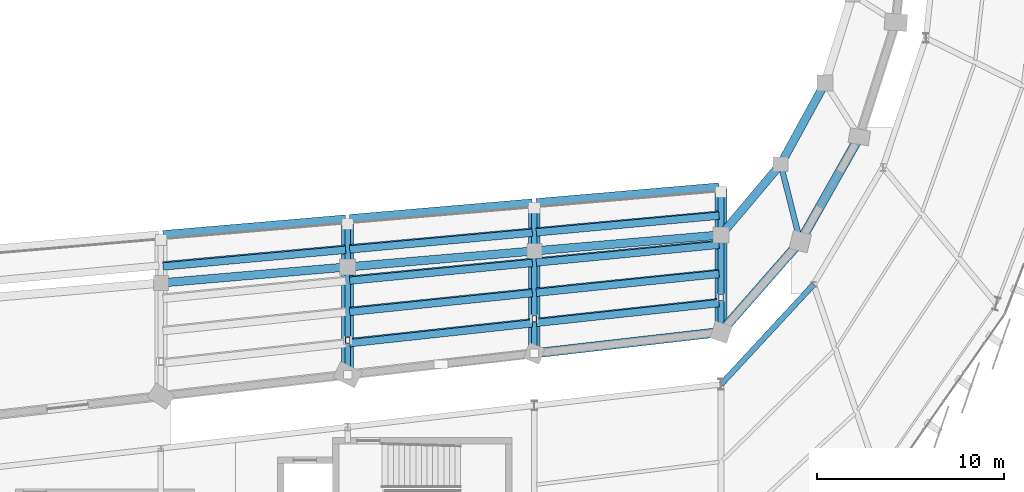
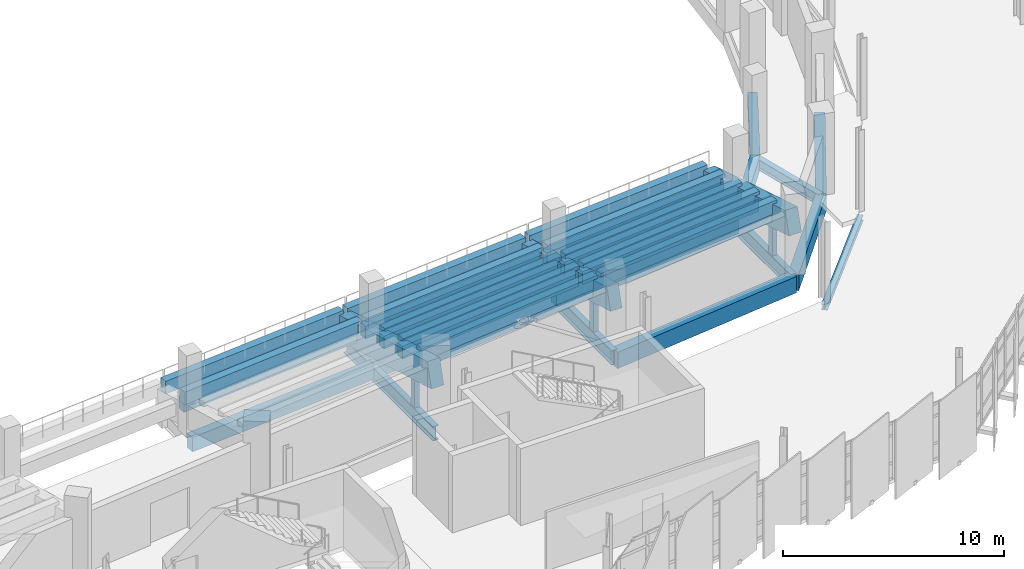
# One storey, part 60 of 120: 37 beams, 3 members.
"""IFC4 building model written with IfcOpenShell, lengths in metres."""

import ifcopenshell
import ifcopenshell.guid

model = None  # the IFC model being written
_history = None  # IfcOwnerHistory: only IFC2X3 demands one
_inside = {}  # id of a spatial element -> (the spatial element, [elements in it])
_under = {}  # id of a project, library or spatial element -> (it, [spatial elements below it])
_declared = {}  # id of a project -> (the project, [libraries it declares])
_typed = {}  # id of a type object -> (the type object, [elements of that type])
_made_of = {}  # id of a material, layer set ... -> (it, [elements and type objects made of it])


def new_model(schema):
    """Start an empty IFC model of exactly this schema.

    Asked for "IFC4X3", IfcOpenShell would pick the latest addendum, in which some entities
    have other attributes; the version numbers below select the first issue.
    IFC2X3 requires an IfcOwnerHistory on every rooted entity: one is made here for all.
    """
    global model, _history
    if schema == "IFC4X3":
        model = ifcopenshell.file(schema_version=(4, 3, 0, 0))
    else:
        model = ifcopenshell.file(schema=schema)
    _inside.clear()
    _under.clear()
    _declared.clear()
    _typed.clear()
    _made_of.clear()
    _history = None
    if model.schema == "IFC2X3":
        org = make("IfcOrganization", Name="unknown")
        user = make(
            "IfcPersonAndOrganization",
            ThePerson=make("IfcPerson", FamilyName="unknown"),
            TheOrganization=org,
        )
        app = make(
            "IfcApplication",
            ApplicationDeveloper=org,
            Version="unknown",
            ApplicationFullName="unknown",
            ApplicationIdentifier="unknown",
        )
        _history = make(
            "IfcOwnerHistory",
            OwningUser=user,
            OwningApplication=app,
            ChangeAction="ADDED",
            CreationDate=0,
        )
    return model


def make(cls, **values):
    """One entity of the class cls with the attributes given. An attribute that is None is left unset."""
    return model.create_entity(
        cls, **{name: value for name, value in values.items() if value is not None}
    )


def rooted(cls, **values):
    """An entity with a GlobalId (a new one), such as an element, a storey or a relation."""
    return make(cls, GlobalId=ifcopenshell.guid.new(), OwnerHistory=_history, **values)


def si_unit(unit_type, name, prefix=None):
    """IfcSIUnit, for example si_unit("LENGTHUNIT", "METRE", prefix="MILLI")."""
    return make("IfcSIUnit", UnitType=unit_type, Prefix=prefix, Name=name)


def assignment(units):
    """IfcUnitAssignment: the units of a project."""
    return None if units is None else make("IfcUnitAssignment", Units=units)


def point(xyz):
    """IfcCartesianPoint."""
    return None if xyz is None else make("IfcCartesianPoint", Coordinates=xyz)


def direction(xyz):
    """IfcDirection."""
    return None if xyz is None else make("IfcDirection", DirectionRatios=xyz)


def frame(location, z_axis=None, x_axis=None):
    """IfcAxis2Placement3D, a coordinate frame: its origin and axes. An axis left out is left unset."""
    return make(
        "IfcAxis2Placement3D",
        Location=point(location),
        Axis=direction(z_axis),
        RefDirection=direction(x_axis),
    )


def frame_2d(location, x_axis=None):
    """IfcAxis2Placement2D, a coordinate frame in the plane: its origin and x axis."""
    return make(
        "IfcAxis2Placement2D", Location=point(location), RefDirection=direction(x_axis)
    )


def origin():
    """The frame at (0, 0, 0) with its axes left unset."""
    return frame((0.0, 0.0, 0.0))


def origin_2d():
    """The frame at (0, 0) in the plane with its x axis left unset."""
    return frame_2d((0.0, 0.0))


def place(relative_to, where):
    """IfcLocalPlacement: puts the frame where relative to a parent placement (None: the world)."""
    return make(
        "IfcLocalPlacement", PlacementRelTo=relative_to, RelativePlacement=where
    )


def context(
    kind, dimensions, precision=None, world=None, true_north=None, identifier=None
):
    """IfcGeometricRepresentationContext, for example the 3D "Model" context."""
    return make(
        "IfcGeometricRepresentationContext",
        ContextIdentifier=identifier,
        ContextType=kind,
        CoordinateSpaceDimension=dimensions,
        Precision=precision,
        WorldCoordinateSystem=world,
        TrueNorth=true_north,
    )


def subcontext(parent, identifier, kind, view, scale=None):
    """IfcGeometricRepresentationSubContext, for example "Body" below "Model"."""
    return make(
        "IfcGeometricRepresentationSubContext",
        ContextIdentifier=identifier,
        ContextType=kind,
        ParentContext=parent,
        TargetScale=scale,
        TargetView=view,
    )


def project(units=None, contexts=None):
    """IfcProject with its units and contexts."""
    return rooted(
        "IfcProject",
        Name="project",
        RepresentationContexts=contexts,
        UnitsInContext=assignment(units),
    )


def spatial(cls, under=None, at=None, **own):
    """A site, building, storey or space (cls), placed at a placement, below another one or the project."""
    s = rooted(cls, ObjectPlacement=at, **own)
    if under is not None:
        _under.setdefault(under.id(), (under, []))[1].append(s)
    return s


def profile(cls, at=None, kind="AREA", **sizes):
    """A parametric profile (cls). Its sizes go by their IFC names, for example OverallWidth=200.0."""
    return make(cls, ProfileType=kind, Position=at, **sizes)


def rectangle(**sizes):
    """IfcRectangleProfileDef."""
    return profile("IfcRectangleProfileDef", **sizes)


def hollow_rectangle(**sizes):
    """IfcRectangleHollowProfileDef."""
    return profile("IfcRectangleHollowProfileDef", **sizes)


def i_section(**sizes):
    """IfcIShapeProfileDef."""
    return profile("IfcIShapeProfileDef", **sizes)


def extrude(swept, where, along, depth):
    """IfcExtrudedAreaSolid: the profile swept, set in the frame where, extruded along a direction by depth."""
    return make(
        "IfcExtrudedAreaSolid",
        SweptArea=swept,
        Position=where,
        ExtrudedDirection=direction(along),
        Depth=depth,
    )


def shape(context_of_items, identifier, shape_type, items):
    """IfcShapeRepresentation: the items that make up one representation, for example the "Body"."""
    return make(
        "IfcShapeRepresentation",
        ContextOfItems=context_of_items,
        RepresentationIdentifier=identifier,
        RepresentationType=shape_type,
        Items=items,
    )


def material(Name=None, Category=None):
    """IfcMaterial."""
    return make("IfcMaterial", Name=Name, Category=Category)


def material_profile(
    of_material, cross_section, Name=None, Category=None, Priority=None
):
    """IfcMaterialProfile: a cross section and its material."""
    return make(
        "IfcMaterialProfile",
        Name=Name,
        Material=of_material,
        Profile=cross_section,
        Priority=Priority,
        Category=Category,
    )


def profile_set(profiles, Name=None, composite=None):
    """IfcMaterialProfileSet."""
    return make(
        "IfcMaterialProfileSet",
        Name=Name,
        MaterialProfiles=profiles,
        CompositeProfile=composite,
    )


def made_of(thing, what):
    """Note that an element or type object is made of a material, layer set ...; save() writes the relation."""
    if what is not None:
        _made_of.setdefault(what.id(), (what, []))[1].append(thing)
    return thing


def type_object(cls, material=None, **own):
    """A type object (cls), such as IfcWallType, which elements share."""
    return made_of(rooted(cls, **own), material)


def element(
    cls,
    number,
    at=None,
    inside=None,
    cuts=None,
    type_object=None,
    material=None,
    context=None,
    identifier="Body",
    shape_type=None,
    held_by="IfcProductDefinitionShape",
    body=None,
    shapes=None,
    **own,
):
    """One element of the class cls, such as IfcWall. Its Tag is "e" and its number.

    at: its placement. inside: the storey or other place that contains it. cuts: it is an
    opening in that element (IfcRelVoidsElement). A single representation is given by context,
    identifier, shape_type and body (its items); several are given by shapes. held_by: the class
    of the entity that holds the representations. save() writes the other relations.
    """
    e = rooted(cls, Tag="e%d" % number, ObjectPlacement=at, **own)
    if body is not None:
        shapes = [shape(context, identifier, shape_type, body)]
    if shapes is not None:
        e.Representation = make(held_by, Representations=shapes)
    if inside is not None:
        _inside.setdefault(inside.id(), (inside, []))[1].append(e)
    if cuts is not None:
        rooted(
            "IfcRelVoidsElement", RelatingBuildingElement=cuts, RelatedOpeningElement=e
        )
    if type_object is not None:
        _typed.setdefault(type_object.id(), (type_object, []))[1].append(e)
    return made_of(e, material)


def aggregate(whole, parts):
    """IfcRelAggregates: a whole, such as a stair, and the parts it consists of."""
    return rooted("IfcRelAggregates", RelatingObject=whole, RelatedObjects=parts)


def save(model, path):
    """Write the relations noted so far, then the file.

    IfcRelAggregates (storeys below a building ...), IfcRelContainedInSpatialStructure (elements
    in a storey), IfcRelDefinesByType, IfcRelAssociatesMaterial and IfcRelDeclares: one each for
    every whole, place, type object, material and project.
    """
    for whole, parts in _under.values():
        aggregate(whole, parts)
    for where, things in _inside.values():
        rooted(
            "IfcRelContainedInSpatialStructure",
            RelatedElements=things,
            RelatingStructure=where,
        )
    for kind, things in _typed.values():
        rooted("IfcRelDefinesByType", RelatedObjects=things, RelatingType=kind)
    for what, things in _made_of.values():
        rooted("IfcRelAssociatesMaterial", RelatedObjects=things, RelatingMaterial=what)
    for by, libraries in _declared.values():
        rooted("IfcRelDeclares", RelatingContext=by, RelatedDefinitions=libraries)
    model.write(path)


model = new_model("IFC4")

# Units and contexts
model_context = context("Model", 3, precision=1e-05, world=origin(), true_north=direction((0.0, 1.0)))
body_context = subcontext(model_context, "Body", "Model", "MODEL_VIEW")
ifc_project = project(units=[si_unit("LENGTHUNIT", "METRE"), si_unit("AREAUNIT", "SQUARE_METRE"), si_unit("VOLUMEUNIT", "CUBIC_METRE"), si_unit("PLANEANGLEUNIT", "RADIAN"), si_unit("MASSUNIT", "GRAM", prefix="KILO")], contexts=[model_context])

# Site, building, storey
site_placement = place(None, origin())
site = spatial("IfcSite", under=ifc_project, at=site_placement, CompositionType="ELEMENT")
building_placement = place(site_placement, origin())
building = spatial("IfcBuilding", under=site, at=building_placement, Name="Sohan Crest Arena", CompositionType="ELEMENT")
storey_placement = place(building_placement, frame((0.0, 0.0, 13.5)))
storey = spatial("IfcBuildingStorey", under=building, at=storey_placement, Name="L03", CompositionType="ELEMENT", Elevation=13.5)

# Beams
ifc_material_1 = material(Name="Steel S355", Category="steel")
ifc_material_profile_1 = material_profile(ifc_material_1, i_section(OverallWidth=0.300048828125, OverallDepth=0.590087890625, WebThickness=0.012939453125, FlangeThickness=0.02490234375, at=origin_2d()), Name="HEA 600")
ifc_profile_set_1 = profile_set([ifc_material_profile_1], Name="Steel S355")
beam_type_1 = type_object("IfcBeamType", Name="STR-BM-B11", PredefinedType="BEAM", material=ifc_profile_set_1)
beam_1_placement = place(storey_placement, frame((171.194091796875, 63.988037109375, -0.544921875), z_axis=(0.245465367753, -0.969405360638, 0.0), x_axis=(0.969405360638, 0.245465367753, 0.0)))
element("IfcBeam", 1, at=beam_1_placement, inside=storey, type_object=beam_type_1, Name="Structural beam G-L03-0516", PredefinedType="BEAM", context=body_context, shape_type="SweptSolid", body=[
    extrude(i_section(OverallWidth=0.300048828125, OverallDepth=0.590087890625, WebThickness=0.012939453125, FlangeThickness=0.02490234375, at=origin_2d()), origin(), (0.0, 0.0, 1.0), 4.272705078125),
])
ifc_material_profile_2 = material_profile(ifc_material_1, i_section(OverallWidth=0.300048828125, OverallDepth=0.300048828125, WebThickness=0.010986328125, FlangeThickness=0.01904296875, at=origin_2d()), Name="HEB 300")
ifc_profile_set_2 = profile_set([ifc_material_profile_2], Name="Steel S355")
beam_type_2 = type_object("IfcBeamType", Name="STR-BM-B12", PredefinedType="BEAM", material=ifc_profile_set_2)
beam_2_placement = place(storey_placement, frame((168.0, 52.199951171875, -0.39990234375), z_axis=(0.680135214567, 0.733086686488, 0.0), x_axis=(-0.733086686488, 0.680135214567, 0.0)))
element("IfcBeam", 2, at=beam_2_placement, inside=storey, type_object=beam_type_2, Name="Structural beam G-L03-1481", PredefinedType="BEAM", context=body_context, shape_type="SweptSolid", body=[
    extrude(i_section(OverallWidth=0.300048828125, OverallDepth=0.300048828125, WebThickness=0.010986328125, FlangeThickness=0.01904296875, at=origin_2d()), origin(), (0.0, 0.0, 1.0), 7.2939453125),
])
ifc_material_profile_3 = material_profile(ifc_material_1, i_section(OverallWidth=0.300048828125, OverallDepth=0.800048828125, WebThickness=0.017578125, FlangeThickness=0.032958984375, at=origin_2d()), Name="HEB 800")
ifc_profile_set_3 = profile_set([ifc_material_profile_3], Name="Steel S355")
beam_type_3 = type_object("IfcBeamType", Name="STR-BM-B17", PredefinedType="BEAM", material=ifc_profile_set_3)
beam_3_placement = place(storey_placement, frame((148.0, 52.714111328125, -0.64990234375), z_axis=(0.0, 1.0, 0.0), x_axis=(-1.0, 0.0, 0.0)))
element("IfcBeam", 3, at=beam_3_placement, inside=storey, type_object=beam_type_3, Name="Structural beam GC-L03-0863", PredefinedType="BEAM", context=body_context, shape_type="SweptSolid", body=[
    extrude(i_section(OverallWidth=0.300048828125, OverallDepth=0.800048828125, WebThickness=0.017578125, FlangeThickness=0.032958984375, at=origin_2d()), origin(), (0.0, 0.0, 1.0), 8.07177734375),
])
beam_4_placement = place(storey_placement, frame((158.0, 53.85693359375, -0.64990234375), z_axis=(0.0, 1.0, 0.0), x_axis=(-1.0, 0.0, 0.0)))
element("IfcBeam", 4, at=beam_4_placement, inside=storey, type_object=beam_type_3, Name="Structural beam GC-L03-0866", PredefinedType="BEAM", context=body_context, shape_type="SweptSolid", body=[
    extrude(i_section(OverallWidth=0.300048828125, OverallDepth=0.800048828125, WebThickness=0.017578125, FlangeThickness=0.032958984375, at=origin_2d()), origin(), (0.0, 0.0, 1.0), 7.7861328125),
])
beam_5_placement = place(storey_placement, frame((168.0, 55.0, -0.64990234375), z_axis=(0.0, 1.0, 0.0), x_axis=(-1.0, 0.0, 0.0)))
element("IfcBeam", 5, at=beam_5_placement, inside=storey, type_object=beam_type_3, Name="Structural beam GC-L03-0869", PredefinedType="BEAM", context=body_context, shape_type="SweptSolid", body=[
    extrude(i_section(OverallWidth=0.300048828125, OverallDepth=0.800048828125, WebThickness=0.017578125, FlangeThickness=0.032958984375, at=origin_2d()), origin(), (0.0, 0.0, 1.0), 7.5),
])
ifc_material_2 = material(Name="Precast concrete C50/60", Category="concrete")
ifc_material_profile_4 = material_profile(ifc_material_2, rectangle(XDim=0.60009765625, YDim=1.199951171875, at=origin_2d()), Name="RAKER 600x1200")
ifc_profile_set_4 = profile_set([ifc_material_profile_4], Name="Precast concrete C50/60")
beam_type_4 = type_object("IfcBeamType", Name="STR-BM-RK04", PredefinedType="USERDEFINED", material=ifc_profile_set_4)
beam_6_placement = place(storey_placement, frame((158.0, 61.64306640625, 0.35009765625), z_axis=(0.0, -0.959039248172, 0.283273225818), x_axis=(1.0, 0.0, 0.0)))
element("IfcBeam", 6, at=beam_6_placement, inside=storey, type_object=beam_type_4, Name="Structural beam RKU-L03-0867", ObjectType="RAKER", PredefinedType="USERDEFINED", context=body_context, shape_type="SweptSolid", body=[
    extrude(rectangle(XDim=0.60009765625, YDim=1.199951171875, at=origin_2d()), origin(), (0.0, 0.0, 1.0), 8.11865234375),
])
ifc_material_profile_5 = material_profile(ifc_material_2, rectangle(XDim=0.64990234375, YDim=1.25, at=origin_2d()), Name="RAKER 650x1250")
ifc_profile_set_5 = profile_set([ifc_material_profile_5], Name="Precast concrete C50/60")
beam_type_5 = type_object("IfcBeamType", Name="STR-BM-RK05", PredefinedType="USERDEFINED", material=ifc_profile_set_5)
beam_7_placement = place(storey_placement, frame((168.0, 62.5, 0.35009765625), z_axis=(0.0, -0.95606118681, 0.293167199862), x_axis=(1.0, 0.0, 0.0)))
element("IfcBeam", 7, at=beam_7_placement, inside=storey, type_object=beam_type_5, Name="Structural beam RKU-L03-0870", ObjectType="RAKER", PredefinedType="USERDEFINED", context=body_context, shape_type="SweptSolid", body=[
    extrude(rectangle(XDim=0.64990234375, YDim=1.25, at=origin_2d()), origin(), (0.0, 0.0, 1.0), 7.8447265625),
])
ifc_material_profile_6 = material_profile(ifc_material_2, rectangle(XDim=0.64990234375, YDim=1.35009765625, at=origin_2d()), Name="RAKER 650x1350")
ifc_profile_set_6 = profile_set([ifc_material_profile_6], Name="Precast concrete C50/60")
beam_type_6 = type_object("IfcBeamType", Name="STR-BM-RK06", PredefinedType="USERDEFINED", material=ifc_profile_set_6)
beam_8_placement = place(storey_placement, frame((148.0, 60.785888671875, 0.35009765625), z_axis=(0.0, -0.961725661117, 0.274014146988), x_axis=(1.0, 0.0, 0.0)))
element("IfcBeam", 8, at=beam_8_placement, inside=storey, type_object=beam_type_6, Name="Structural beam RKU-L03-0864", ObjectType="RAKER", PredefinedType="USERDEFINED", context=body_context, shape_type="SweptSolid", body=[
    extrude(rectangle(XDim=0.64990234375, YDim=1.35009765625, at=origin_2d()), origin(), (0.0, 0.0, 1.0), 8.39306640625),
])
ifc_material_3 = material(Name="Concrete C40/50", Category="concrete")
ifc_material_profile_7 = material_profile(ifc_material_3, rectangle(XDim=0.39990234375, YDim=0.699951171875, at=origin_2d()), Name="RC-BM 400x700")
ifc_profile_set_7 = profile_set([ifc_material_profile_7], Name="Concrete C40/50")
beam_type_7 = type_object("IfcBeamType", Name="STR-BM-TB01", PredefinedType="BEAM", material=ifc_profile_set_7)
beam_9_placement = place(storey_placement, frame((138.110107421875, 60.238037109375, 0.85595703125), z_axis=(0.996341446953, 0.085461810668, 0.0), x_axis=(-0.085461810668, 0.996341446953, 0.0)))
element("IfcBeam", 9, at=beam_9_placement, inside=storey, type_object=beam_type_7, Name="Upper tier front stringer TSB-U136A", PredefinedType="BEAM", context=body_context, shape_type="SweptSolid", body=[
    extrude(rectangle(XDim=0.39990234375, YDim=0.699951171875, at=origin_2d()), origin(), (0.0, 0.0, 1.0), 9.815673828125),
])
beam_10_placement = place(storey_placement, frame((138.110107421875, 58.576904296875, 0.85595703125), z_axis=(0.995865446367, 0.090840589671, 0.0), x_axis=(-0.090840589671, 0.995865446367, 0.0)))
element("IfcBeam", 10, at=beam_10_placement, inside=storey, type_object=beam_type_7, Name="Upper tier rear stringer TSB-U136B", PredefinedType="BEAM", context=body_context, shape_type="SweptSolid", body=[
    extrude(rectangle(XDim=0.39990234375, YDim=0.699951171875, at=origin_2d()), origin(), (0.0, 0.0, 1.0), 9.8203125),
])
beam_11_placement = place(storey_placement, frame((138.110107421875, 58.507080078125, 1.31591796875), z_axis=(0.995838414994, 0.091136442892, 0.0), x_axis=(-0.091136442892, 0.995838414994, 0.0)))
element("IfcBeam", 11, at=beam_11_placement, inside=storey, type_object=beam_type_7, Name="Upper tier front stringer TSB-U137A", PredefinedType="BEAM", context=body_context, shape_type="SweptSolid", body=[
    extrude(rectangle(XDim=0.39990234375, YDim=0.699951171875, at=origin_2d()), origin(), (0.0, 0.0, 1.0), 9.820556640625),
])
beam_12_placement = place(storey_placement, frame((148.110107421875, 61.094970703125, 0.85595703125), z_axis=(0.996339328782, 0.085486501399, 0.0), x_axis=(-0.085486501399, 0.996339328782, 0.0)))
element("IfcBeam", 12, at=beam_12_placement, inside=storey, type_object=beam_type_7, Name="Upper tier front stringer TSB-U146A", PredefinedType="BEAM", context=body_context, shape_type="SweptSolid", body=[
    extrude(rectangle(XDim=0.39990234375, YDim=0.699951171875, at=origin_2d()), origin(), (0.0, 0.0, 1.0), 9.815673828125),
])
beam_13_placement = place(storey_placement, frame((148.110107421875, 59.489013671875, 0.85595703125), z_axis=(0.99587668393, 0.090717310391, 0.0), x_axis=(-0.090717310391, 0.99587668393, 0.0)))
element("IfcBeam", 13, at=beam_13_placement, inside=storey, type_object=beam_type_7, Name="Upper tier rear stringer TSB-U146B", PredefinedType="BEAM", context=body_context, shape_type="SweptSolid", body=[
    extrude(rectangle(XDim=0.39990234375, YDim=0.699951171875, at=origin_2d()), origin(), (0.0, 0.0, 1.0), 9.8203125),
])
beam_14_placement = place(storey_placement, frame((148.110107421875, 59.422119140625, 1.31591796875), z_axis=(0.995849688569, 0.091013173645, 0.0), x_axis=(-0.091013173645, 0.995849688569, 0.0)))
element("IfcBeam", 14, at=beam_14_placement, inside=storey, type_object=beam_type_7, Name="Upper tier front stringer TSB-U147A", PredefinedType="BEAM", context=body_context, shape_type="SweptSolid", body=[
    extrude(rectangle(XDim=0.39990234375, YDim=0.699951171875, at=origin_2d()), origin(), (0.0, 0.0, 1.0), 9.820556640625),
])
beam_15_placement = place(storey_placement, frame((148.10888671875, 57.81494140625, 1.31591796875), z_axis=(0.995346555601, 0.096359920365, 0.0), x_axis=(-0.096359920365, 0.995346555601, 0.0)))
element("IfcBeam", 15, at=beam_15_placement, inside=storey, type_object=beam_type_7, Name="Upper tier rear stringer TSB-U147B", PredefinedType="BEAM", context=body_context, shape_type="SweptSolid", body=[
    extrude(rectangle(XDim=0.39990234375, YDim=0.699951171875, at=origin_2d()), origin(), (0.0, 0.0, 1.0), 9.827880859375),
])
beam_16_placement = place(storey_placement, frame((148.10888671875, 57.748046875, 1.77587890625), z_axis=(0.995317921659, 0.096655236927, 0.0), x_axis=(-0.096655236927, 0.995317921659, 0.0)))
element("IfcBeam", 16, at=beam_16_placement, inside=storey, type_object=beam_type_7, Name="Upper tier front stringer TSB-U148A", PredefinedType="BEAM", context=body_context, shape_type="SweptSolid", body=[
    extrude(rectangle(XDim=0.39990234375, YDim=0.699951171875, at=origin_2d()), origin(), (0.0, 0.0, 1.0), 9.828125),
])
beam_17_placement = place(storey_placement, frame((148.10888671875, 56.14111328125, 1.77587890625), z_axis=(0.994775234017, 0.102089342175, 0.0), x_axis=(-0.102089342175, 0.994775234017, 0.0)))
element("IfcBeam", 17, at=beam_17_placement, inside=storey, type_object=beam_type_7, Name="Upper tier rear stringer TSB-U148B", PredefinedType="BEAM", context=body_context, shape_type="SweptSolid", body=[
    extrude(rectangle(XDim=0.39990234375, YDim=0.699951171875, at=origin_2d()), origin(), (0.0, 0.0, 1.0), 9.83349609375),
])
beam_18_placement = place(storey_placement, frame((148.10888671875, 56.073974609375, 2.236083984375), z_axis=(0.994752517837, 0.102310450384, 0.0), x_axis=(-0.102310450384, 0.994752517837, 0.0)))
element("IfcBeam", 18, at=beam_18_placement, inside=storey, type_object=beam_type_7, Name="Upper tier front stringer TSB-U149A", PredefinedType="BEAM", context=body_context, shape_type="SweptSolid", body=[
    extrude(rectangle(XDim=0.39990234375, YDim=0.699951171875, at=origin_2d()), origin(), (0.0, 0.0, 1.0), 9.833740234375),
])
for number, where, z_axis, x_axis, name in (
    (19, (148.10888671875, 54.467041015625, 2.236083984375), (0.994179641162, 0.107735050462, 0.0), (-0.107735050462, 0.994179641162, 0.0), "Upper tier rear stringer TSB-U149B"),
    (20, (148.10888671875, 54.39990234375, 2.696044921875), (0.994158361485, 0.107931238706, 0.0), (-0.107931238706, 0.994158361485, 0.0), "Upper tier front stringer TSB-U150A"),
):
    element("IfcBeam", number, at=place(storey_placement, frame(where, z_axis=z_axis, x_axis=x_axis)), inside=storey, type_object=beam_type_7, Name=name, PredefinedType="BEAM", context=body_context, shape_type="SweptSolid", body=[
        extrude(rectangle(XDim=0.39990234375, YDim=0.699951171875, at=origin_2d()), origin(), (0.0, 0.0, 1.0), 9.839599609375),
    ])
beam_19_placement = place(storey_placement, frame((158.110107421875, 61.951904296875, 0.85595703125), z_axis=(0.996339328782, 0.085486501399, 0.0), x_axis=(-0.085486501399, 0.996339328782, 0.0)))
element("IfcBeam", 21, at=beam_19_placement, inside=storey, type_object=beam_type_7, Name="Upper tier front stringer TSB-U156A", PredefinedType="BEAM", context=body_context, shape_type="SweptSolid", body=[
    extrude(rectangle(XDim=0.39990234375, YDim=0.699951171875, at=origin_2d()), origin(), (0.0, 0.0, 1.0), 9.815673828125),
])
beam_20_placement = place(storey_placement, frame((158.110107421875, 60.39990234375, 0.85595703125), z_axis=(0.995865446367, 0.090840589671, 0.0), x_axis=(-0.090840589671, 0.995865446367, 0.0)))
element("IfcBeam", 22, at=beam_20_placement, inside=storey, type_object=beam_type_7, Name="Upper tier rear stringer TSB-U156B", PredefinedType="BEAM", context=body_context, shape_type="SweptSolid", body=[
    extrude(rectangle(XDim=0.39990234375, YDim=0.699951171875, at=origin_2d()), origin(), (0.0, 0.0, 1.0), 9.8203125),
])
beam_21_placement = place(storey_placement, frame((158.110107421875, 60.3359375, 1.31591796875), z_axis=(0.995847435054, 0.091037827829, 0.0), x_axis=(-0.091037827829, 0.995847435054, 0.0)))
element("IfcBeam", 23, at=beam_21_placement, inside=storey, type_object=beam_type_7, Name="Upper tier front stringer TSB-U157A", PredefinedType="BEAM", context=body_context, shape_type="SweptSolid", body=[
    extrude(rectangle(XDim=0.39990234375, YDim=0.699951171875, at=origin_2d()), origin(), (0.0, 0.0, 1.0), 9.820556640625),
])
beam_22_placement = place(storey_placement, frame((158.10888671875, 58.783935546875, 1.31591796875), z_axis=(0.995346555601, 0.096359920365, 0.0), x_axis=(-0.096359920365, 0.995346555601, 0.0)))
element("IfcBeam", 24, at=beam_22_placement, inside=storey, type_object=beam_type_7, Name="Upper tier rear stringer TSB-U157B", PredefinedType="BEAM", context=body_context, shape_type="SweptSolid", body=[
    extrude(rectangle(XDim=0.39990234375, YDim=0.699951171875, at=origin_2d()), origin(), (0.0, 0.0, 1.0), 9.827880859375),
])
beam_23_placement = place(storey_placement, frame((158.10888671875, 58.719970703125, 1.77587890625), z_axis=(0.995327475859, 0.096556800905, 0.0), x_axis=(-0.096556800905, 0.995327475859, 0.0)))
element("IfcBeam", 25, at=beam_23_placement, inside=storey, type_object=beam_type_7, Name="Upper tier front stringer TSB-U158A", PredefinedType="BEAM", context=body_context, shape_type="SweptSolid", body=[
    extrude(rectangle(XDim=0.39990234375, YDim=0.699951171875, at=origin_2d()), origin(), (0.0, 0.0, 1.0), 9.828125),
])
beam_24_placement = place(storey_placement, frame((158.10888671875, 57.1669921875, 1.77587890625), z_axis=(0.994775234017, 0.102089342175, 0.0), x_axis=(-0.102089342175, 0.994775234017, 0.0)))
element("IfcBeam", 26, at=beam_24_placement, inside=storey, type_object=beam_type_7, Name="Upper tier rear stringer TSB-U158B", PredefinedType="BEAM", context=body_context, shape_type="SweptSolid", body=[
    extrude(rectangle(XDim=0.39990234375, YDim=0.699951171875, at=origin_2d()), origin(), (0.0, 0.0, 1.0), 9.83349609375),
])
beam_25_placement = place(storey_placement, frame((158.10888671875, 57.10205078125, 2.236083984375), z_axis=(0.994744935086, 0.102384149753, 0.0), x_axis=(-0.102384149753, 0.994744935086, 0.0)))
element("IfcBeam", 27, at=beam_25_placement, inside=storey, type_object=beam_type_7, Name="Upper tier front stringer TSB-U159A", PredefinedType="BEAM", context=body_context, shape_type="SweptSolid", body=[
    extrude(rectangle(XDim=0.39990234375, YDim=0.699951171875, at=origin_2d()), origin(), (0.0, 0.0, 1.0), 9.833984375),
])
beam_26_placement = place(storey_placement, frame((158.10888671875, 55.551025390625, 2.236083984375), z_axis=(0.994190266823, 0.107636951619, 0.0), x_axis=(-0.107636951619, 0.994190266823, 0.0)))
element("IfcBeam", 28, at=beam_26_placement, inside=storey, type_object=beam_type_7, Name="Upper tier rear stringer TSB-U159B", PredefinedType="BEAM", context=body_context, shape_type="SweptSolid", body=[
    extrude(rectangle(XDim=0.39990234375, YDim=0.699951171875, at=origin_2d()), origin(), (0.0, 0.0, 1.0), 9.83935546875),
])
beam_27_placement = place(storey_placement, frame((158.10888671875, 55.486083984375, 2.696044921875), z_axis=(0.994158361485, 0.107931238706, 0.0), x_axis=(-0.107931238706, 0.994158361485, 0.0)))
element("IfcBeam", 29, at=beam_27_placement, inside=storey, type_object=beam_type_7, Name="Upper tier front stringer TSB-U160A", PredefinedType="BEAM", context=body_context, shape_type="SweptSolid", body=[
    extrude(rectangle(XDim=0.39990234375, YDim=0.699951171875, at=origin_2d()), origin(), (0.0, 0.0, 1.0), 9.839599609375),
])
ifc_material_profile_8 = material_profile(ifc_material_3, rectangle(XDim=0.449951171875, YDim=0.800048828125, at=origin_2d()), Name="RC-BM 450x800")
ifc_profile_set_8 = profile_set([ifc_material_profile_8], Name="Concrete C40/50")
beam_type_8 = type_object("IfcBeamType", Name="STR-BM-TB02", PredefinedType="BEAM", material=ifc_profile_set_8)
for number, where, z_axis, x_axis, name in (
    (30, (138.0, 57.62890625, -0.64990234375), (0.996346353353, 0.085404590982, 0.0), (-0.085404590982, 0.996346353353, 0.0), "Structural beam TB-L03-0426"),
    (31, (148.0, 58.486083984375, -0.64990234375), (0.996348422929, 0.085380443469, 0.0), (-0.085380443469, 0.996348422929, 0.0), "Structural beam TB-L03-0448"),
    (32, (158.0, 59.343017578125, -0.64990234375), (0.996348422929, 0.085380443469, 0.0), (-0.085380443469, 0.996348422929, 0.0), "Structural beam TB-L03-0470"),
):
    element("IfcBeam", number, at=place(storey_placement, frame(where, z_axis=z_axis, x_axis=x_axis)), inside=storey, type_object=beam_type_8, Name=name, PredefinedType="BEAM", context=body_context, shape_type="SweptSolid", body=[
        extrude(rectangle(XDim=0.449951171875, YDim=0.800048828125, at=origin_2d()), origin(), (0.0, 0.0, 1.0), 10.03662109375),
    ])
beam_28_placement = place(storey_placement, frame((168.0, 60.199951171875, -0.64990234375), z_axis=(0.644622663131, 0.764500897435, 0.0), x_axis=(-0.764500897435, 0.644622663131, 0.0)))
element("IfcBeam", 33, at=beam_28_placement, inside=storey, type_object=beam_type_8, Name="Structural beam TB-L03-0492", PredefinedType="BEAM", context=body_context, shape_type="SweptSolid", body=[
    extrude(rectangle(XDim=0.449951171875, YDim=0.800048828125, at=origin_2d()), origin(), (0.0, 0.0, 1.0), 4.955078125),
])
beam_29_placement = place(storey_placement, frame((171.194091796875, 63.988037109375, -0.64990234375), z_axis=(0.479687297687, 0.877439511555, 0.0), x_axis=(-0.877439511555, 0.479687297687, 0.0)))
element("IfcBeam", 34, at=beam_29_placement, inside=storey, type_object=beam_type_8, Name="Structural beam TB-L03-0514", PredefinedType="BEAM", context=body_context, shape_type="SweptSolid", body=[
    extrude(rectangle(XDim=0.449951171875, YDim=0.800048828125, at=origin_2d()), origin(), (0.0, 0.0, 1.0), 4.955322265625),
])
ifc_material_profile_9 = material_profile(ifc_material_3, rectangle(XDim=0.5, YDim=0.89990234375, at=origin_2d()), Name="RC-BM 500x900")
ifc_profile_set_9 = profile_set([ifc_material_profile_9], Name="Concrete C40/50")
beam_type_9 = type_object("IfcBeamType", Name="STR-BM-TB03", PredefinedType="BEAM", material=ifc_profile_set_9)
beam_30_placement = place(storey_placement, frame((158.0, 53.85693359375, -0.699951171875), z_axis=(0.99353032697, 0.113567114035, 0.0), x_axis=(-0.113567114035, 0.99353032697, 0.0)))
element("IfcBeam", 35, at=beam_30_placement, inside=storey, type_object=beam_type_9, Name="Structural beam TB-L03-0471", PredefinedType="BEAM", context=body_context, shape_type="SweptSolid", body=[
    extrude(rectangle(XDim=0.5, YDim=0.89990234375, at=origin_2d()), origin(), (0.0, 0.0, 1.0), 10.065185546875),
])
for number, where, z_axis, x_axis, name in (
    (36, (168.0, 55.0, -0.699951171875), (0.658743407002, 0.752367678553, 0.0), (-0.752367678553, 0.658743407002, 0.0), "Structural beam TB-L03-0493"),
    (37, (172.242919921875, 59.845947265625, -0.699951171875), (0.491543833039, 0.870852834985, 0.0), (-0.870852834985, 0.491543833039, 0.0), "Structural beam TB-L03-0515"),
):
    element("IfcBeam", number, at=place(storey_placement, frame(where, z_axis=z_axis, x_axis=x_axis)), inside=storey, type_object=beam_type_9, Name=name, PredefinedType="BEAM", context=body_context, shape_type="SweptSolid", body=[
        extrude(rectangle(XDim=0.5, YDim=0.89990234375, at=origin_2d()), origin(), (0.0, 0.0, 1.0), 6.44091796875),
    ])

# Members
ifc_material_profile_10 = material_profile(ifc_material_1, hollow_rectangle(XDim=0.25, YDim=0.35009765625, WallThickness=0.012451171875, at=origin_2d()), Name="RHS 350x250x12.5")
ifc_profile_set_10 = profile_set([ifc_material_profile_10], Name="Steel S355")
member_type = type_object("IfcMemberType", Name="STR-MEM-CH04", PredefinedType="CHORD", material=ifc_profile_set_10)
member_1_placement = place(storey_placement, frame((148.0, 54.56396484375, -0.260009765625), z_axis=(0.0, 0.0, 1.0), x_axis=(1.0, 0.0, 0.0)))
element("IfcMember", 38, at=member_1_placement, inside=storey, type_object=member_type, Name="Upper tier rear raker support post RKP-O18", PredefinedType="CHORD", context=body_context, shape_type="SweptSolid", body=[
    extrude(hollow_rectangle(XDim=0.25, YDim=0.35009765625, WallThickness=0.012451171875, at=origin_2d()), origin(), (0.0, 0.0, 1.0), 2.0849609375),
])
member_2_placement = place(storey_placement, frame((158.0, 55.70703125, -0.260009765625), z_axis=(0.0, 0.0, 1.0), x_axis=(1.0, 0.0, 0.0)))
element("IfcMember", 39, at=member_2_placement, inside=storey, type_object=member_type, Name="Upper tier rear raker support post RKP-O19", PredefinedType="CHORD", context=body_context, shape_type="SweptSolid", body=[
    extrude(hollow_rectangle(XDim=0.25, YDim=0.35009765625, WallThickness=0.012451171875, at=origin_2d()), origin(), (0.0, 0.0, 1.0), 2.159912109375),
])
member_3_placement = place(storey_placement, frame((168.0, 56.85009765625, -0.260009765625), z_axis=(0.0, 0.0, 1.0), x_axis=(1.0, 0.0, 0.0)))
element("IfcMember", 40, at=member_3_placement, inside=storey, type_object=member_type, Name="Upper tier rear raker support post RKP-O20", PredefinedType="CHORD", context=body_context, shape_type="SweptSolid", body=[
    extrude(hollow_rectangle(XDim=0.25, YDim=0.35009765625, WallThickness=0.012451171875, at=origin_2d()), origin(), (0.0, 0.0, 1.0), 2.135009765625),
])

save(model, "model.ifc")
